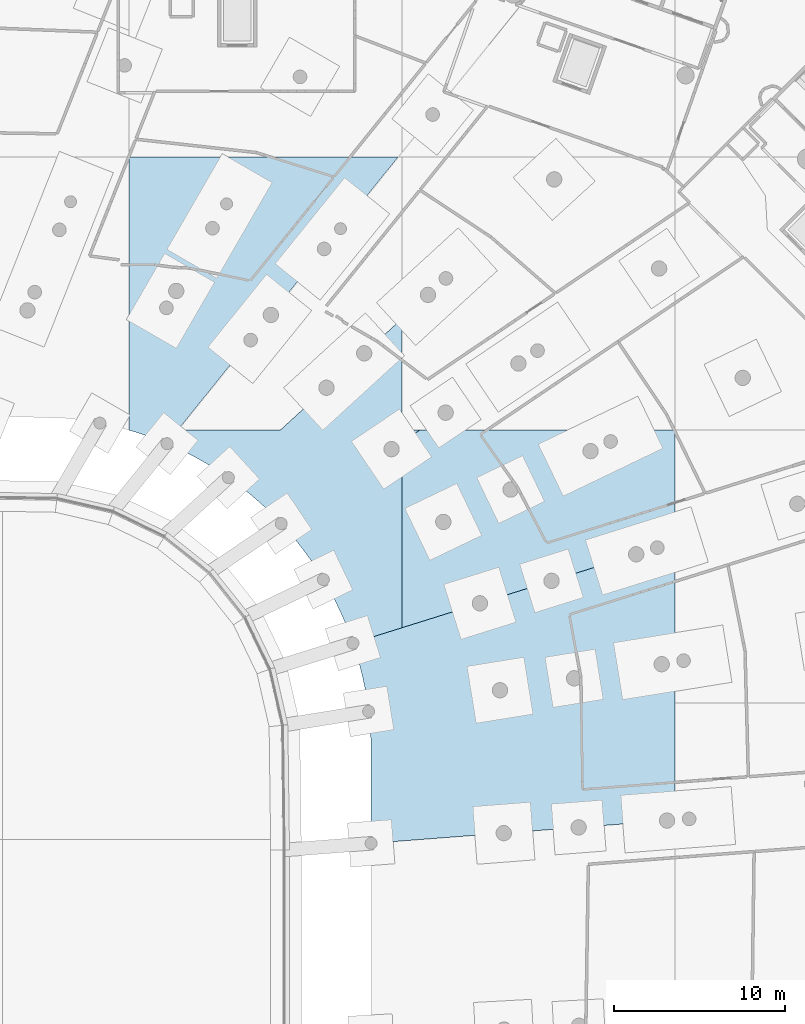
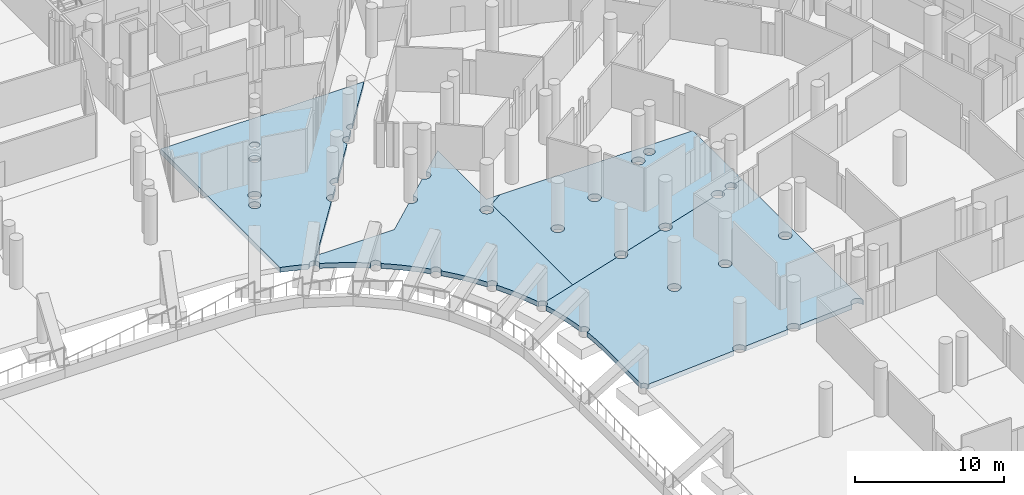
# One storey, part 31 of 142: 4 slabs.
"""IFC4 building model written with IfcOpenShell, lengths in metres."""

import ifcopenshell
import ifcopenshell.guid

model = None  # the IFC model being written
_history = None  # IfcOwnerHistory: only IFC2X3 demands one
_inside = {}  # id of a spatial element -> (the spatial element, [elements in it])
_under = {}  # id of a project, library or spatial element -> (it, [spatial elements below it])
_declared = {}  # id of a project -> (the project, [libraries it declares])
_typed = {}  # id of a type object -> (the type object, [elements of that type])
_made_of = {}  # id of a material, layer set ... -> (it, [elements and type objects made of it])


def new_model(schema):
    """Start an empty IFC model of exactly this schema.

    Asked for "IFC4X3", IfcOpenShell would pick the latest addendum, in which some entities
    have other attributes; the version numbers below select the first issue.
    IFC2X3 requires an IfcOwnerHistory on every rooted entity: one is made here for all.
    """
    global model, _history
    if schema == "IFC4X3":
        model = ifcopenshell.file(schema_version=(4, 3, 0, 0))
    else:
        model = ifcopenshell.file(schema=schema)
    _inside.clear()
    _under.clear()
    _declared.clear()
    _typed.clear()
    _made_of.clear()
    _history = None
    if model.schema == "IFC2X3":
        org = make("IfcOrganization", Name="unknown")
        user = make(
            "IfcPersonAndOrganization",
            ThePerson=make("IfcPerson", FamilyName="unknown"),
            TheOrganization=org,
        )
        app = make(
            "IfcApplication",
            ApplicationDeveloper=org,
            Version="unknown",
            ApplicationFullName="unknown",
            ApplicationIdentifier="unknown",
        )
        _history = make(
            "IfcOwnerHistory",
            OwningUser=user,
            OwningApplication=app,
            ChangeAction="ADDED",
            CreationDate=0,
        )
    return model


def make(cls, **values):
    """One entity of the class cls with the attributes given. An attribute that is None is left unset."""
    return model.create_entity(
        cls, **{name: value for name, value in values.items() if value is not None}
    )


def rooted(cls, **values):
    """An entity with a GlobalId (a new one), such as an element, a storey or a relation."""
    return make(cls, GlobalId=ifcopenshell.guid.new(), OwnerHistory=_history, **values)


def si_unit(unit_type, name, prefix=None):
    """IfcSIUnit, for example si_unit("LENGTHUNIT", "METRE", prefix="MILLI")."""
    return make("IfcSIUnit", UnitType=unit_type, Prefix=prefix, Name=name)


def assignment(units):
    """IfcUnitAssignment: the units of a project."""
    return None if units is None else make("IfcUnitAssignment", Units=units)


def point(xyz):
    """IfcCartesianPoint."""
    return None if xyz is None else make("IfcCartesianPoint", Coordinates=xyz)


def direction(xyz):
    """IfcDirection."""
    return None if xyz is None else make("IfcDirection", DirectionRatios=xyz)


def frame(location, z_axis=None, x_axis=None):
    """IfcAxis2Placement3D, a coordinate frame: its origin and axes. An axis left out is left unset."""
    return make(
        "IfcAxis2Placement3D",
        Location=point(location),
        Axis=direction(z_axis),
        RefDirection=direction(x_axis),
    )


def origin():
    """The frame at (0, 0, 0) with its axes left unset."""
    return frame((0.0, 0.0, 0.0))


def place(relative_to, where):
    """IfcLocalPlacement: puts the frame where relative to a parent placement (None: the world)."""
    return make(
        "IfcLocalPlacement", PlacementRelTo=relative_to, RelativePlacement=where
    )


def context(
    kind, dimensions, precision=None, world=None, true_north=None, identifier=None
):
    """IfcGeometricRepresentationContext, for example the 3D "Model" context."""
    return make(
        "IfcGeometricRepresentationContext",
        ContextIdentifier=identifier,
        ContextType=kind,
        CoordinateSpaceDimension=dimensions,
        Precision=precision,
        WorldCoordinateSystem=world,
        TrueNorth=true_north,
    )


def subcontext(parent, identifier, kind, view, scale=None):
    """IfcGeometricRepresentationSubContext, for example "Body" below "Model"."""
    return make(
        "IfcGeometricRepresentationSubContext",
        ContextIdentifier=identifier,
        ContextType=kind,
        ParentContext=parent,
        TargetScale=scale,
        TargetView=view,
    )


def project(units=None, contexts=None):
    """IfcProject with its units and contexts."""
    return rooted(
        "IfcProject",
        Name="project",
        RepresentationContexts=contexts,
        UnitsInContext=assignment(units),
    )


def spatial(cls, under=None, at=None, **own):
    """A site, building, storey or space (cls), placed at a placement, below another one or the project."""
    s = rooted(cls, ObjectPlacement=at, **own)
    if under is not None:
        _under.setdefault(under.id(), (under, []))[1].append(s)
    return s


def polyline(points):
    """IfcPolyline through the points."""
    return make("IfcPolyline", Points=[point(p) for p in points])


def outline(outer, holes=None, kind="AREA"):
    """IfcArbitraryClosedProfileDef: a profile drawn as a closed curve; with holes, ...WithVoids."""
    if holes is None:
        return make("IfcArbitraryClosedProfileDef", ProfileType=kind, OuterCurve=outer)
    return make(
        "IfcArbitraryProfileDefWithVoids",
        ProfileType=kind,
        OuterCurve=outer,
        InnerCurves=holes,
    )


def extrude(swept, where, along, depth):
    """IfcExtrudedAreaSolid: the profile swept, set in the frame where, extruded along a direction by depth."""
    return make(
        "IfcExtrudedAreaSolid",
        SweptArea=swept,
        Position=where,
        ExtrudedDirection=direction(along),
        Depth=depth,
    )


def shape(context_of_items, identifier, shape_type, items):
    """IfcShapeRepresentation: the items that make up one representation, for example the "Body"."""
    return make(
        "IfcShapeRepresentation",
        ContextOfItems=context_of_items,
        RepresentationIdentifier=identifier,
        RepresentationType=shape_type,
        Items=items,
    )


def material(Name=None, Category=None):
    """IfcMaterial."""
    return make("IfcMaterial", Name=Name, Category=Category)


def layer(
    of_material, thickness, ventilated=None, Name=None, Category=None, Priority=None
):
    """IfcMaterialLayer: one layer of a wall or slab, of a material (None: an air gap)."""
    return make(
        "IfcMaterialLayer",
        Material=of_material,
        LayerThickness=thickness,
        IsVentilated=ventilated,
        Name=Name,
        Category=Category,
        Priority=Priority,
    )


def layer_set(layers, Name=None):
    """IfcMaterialLayerSet."""
    return make("IfcMaterialLayerSet", MaterialLayers=layers, LayerSetName=Name)


def made_of(thing, what):
    """Note that an element or type object is made of a material, layer set ...; save() writes the relation."""
    if what is not None:
        _made_of.setdefault(what.id(), (what, []))[1].append(thing)
    return thing


def type_object(cls, material=None, **own):
    """A type object (cls), such as IfcWallType, which elements share."""
    return made_of(rooted(cls, **own), material)


def element(
    cls,
    number,
    at=None,
    inside=None,
    cuts=None,
    type_object=None,
    material=None,
    context=None,
    identifier="Body",
    shape_type=None,
    held_by="IfcProductDefinitionShape",
    body=None,
    shapes=None,
    **own,
):
    """One element of the class cls, such as IfcWall. Its Tag is "e" and its number.

    at: its placement. inside: the storey or other place that contains it. cuts: it is an
    opening in that element (IfcRelVoidsElement). A single representation is given by context,
    identifier, shape_type and body (its items); several are given by shapes. held_by: the class
    of the entity that holds the representations. save() writes the other relations.
    """
    e = rooted(cls, Tag="e%d" % number, ObjectPlacement=at, **own)
    if body is not None:
        shapes = [shape(context, identifier, shape_type, body)]
    if shapes is not None:
        e.Representation = make(held_by, Representations=shapes)
    if inside is not None:
        _inside.setdefault(inside.id(), (inside, []))[1].append(e)
    if cuts is not None:
        rooted(
            "IfcRelVoidsElement", RelatingBuildingElement=cuts, RelatedOpeningElement=e
        )
    if type_object is not None:
        _typed.setdefault(type_object.id(), (type_object, []))[1].append(e)
    return made_of(e, material)


def aggregate(whole, parts):
    """IfcRelAggregates: a whole, such as a stair, and the parts it consists of."""
    return rooted("IfcRelAggregates", RelatingObject=whole, RelatedObjects=parts)


def save(model, path):
    """Write the relations noted so far, then the file.

    IfcRelAggregates (storeys below a building ...), IfcRelContainedInSpatialStructure (elements
    in a storey), IfcRelDefinesByType, IfcRelAssociatesMaterial and IfcRelDeclares: one each for
    every whole, place, type object, material and project.
    """
    for whole, parts in _under.values():
        aggregate(whole, parts)
    for where, things in _inside.values():
        rooted(
            "IfcRelContainedInSpatialStructure",
            RelatedElements=things,
            RelatingStructure=where,
        )
    for kind, things in _typed.values():
        rooted("IfcRelDefinesByType", RelatedObjects=things, RelatingType=kind)
    for what, things in _made_of.values():
        rooted("IfcRelAssociatesMaterial", RelatedObjects=things, RelatingMaterial=what)
    for by, libraries in _declared.values():
        rooted("IfcRelDeclares", RelatingContext=by, RelatedDefinitions=libraries)
    model.write(path)


model = new_model("IFC4")

# Units and contexts
model_context = context("Model", 3, precision=1e-05, world=origin(), true_north=direction((0.0, 1.0)))
body_context = subcontext(model_context, "Body", "Model", "MODEL_VIEW")
ifc_project = project(units=[si_unit("LENGTHUNIT", "METRE"), si_unit("AREAUNIT", "SQUARE_METRE"), si_unit("VOLUMEUNIT", "CUBIC_METRE"), si_unit("PLANEANGLEUNIT", "RADIAN"), si_unit("MASSUNIT", "GRAM", prefix="KILO")], contexts=[model_context])

# Site, building, storey
site_placement = place(None, origin())
site = spatial("IfcSite", under=ifc_project, at=site_placement, CompositionType="ELEMENT")
building_placement = place(site_placement, origin())
building = spatial("IfcBuilding", under=site, at=building_placement, Name="Meseta Stadium", CompositionType="ELEMENT")
storey_placement = place(building_placement, frame((0.0, 0.0, -4.0)))
storey = spatial("IfcBuildingStorey", under=building, at=storey_placement, Name="B1", CompositionType="ELEMENT", Elevation=-4.0)

# Slabs
ifc_material = material(Name="Concrete C30/37", Category="concrete")
ifc_layer = layer(ifc_material, 0.39990234375)
ifc_layer_set = layer_set([ifc_layer], Name="Base slab 400")
slab_type = type_object("IfcSlabType", Name="Base slab 400", PredefinedType="BASESLAB", material=ifc_layer_set)
slab_1_placement = place(storey_placement, frame((0.0, 0.0, -0.39990234375)))
element("IfcSlab", 1, at=slab_1_placement, inside=storey, type_object=slab_type, Name="Base slab B1 sector 07 panel 02", PredefinedType="BASESLAB", context=body_context, shape_type="SweptSolid", body=[
    extrude(outline(polyline([(36.665283203125, 61.95947265625), (37.247314453125, 61.595703125), (37.524658203125, 61.40869140625), (37.5673828125, 61.460693359375), (37.62060546875, 61.50439453125), (37.681396484375, 61.537109375), (37.747314453125, 61.556884765625), (37.816162109375, 61.563720703125), (37.884765625, 61.556884765625), (37.95068359375, 61.537109375), (38.011474609375, 61.50439453125), (38.064697265625, 61.460693359375), (38.1083984375, 61.407470703125), (38.14111328125, 61.3466796875), (38.160888671875, 61.28076171875), (38.167724609375, 61.2119140625), (38.160888671875, 61.143310546875), (38.14111328125, 61.077392578125), (38.1083984375, 61.0166015625), (38.099609375, 61.005859375), (38.37109375, 60.80859375), (38.91162109375, 60.38623046875), (39.437255859375, 59.9453125), (39.94677734375, 59.486083984375), (40.440185546875, 59.009521484375), (40.672607421875, 58.768798828125), (40.72119140625, 58.80859375), (40.781982421875, 58.841064453125), (40.847900390625, 58.861083984375), (40.91650390625, 58.86767578125), (40.985107421875, 58.861083984375), (41.051025390625, 58.841064453125), (41.11181640625, 58.80859375), (41.165283203125, 58.7646484375), (41.207763671875, 58.712646484375), (41.241455078125, 58.650634765625), (41.261474609375, 58.584716796875), (41.268310546875, 58.51611328125), (41.261474609375, 58.447509765625), (41.241455078125, 58.381591796875), (41.208984375, 58.32080078125), (41.165283203125, 58.267333984375), (41.15087890625, 58.255615234375), (41.375244140625, 58.006103515625), (41.81591796875, 57.480712890625), (42.23779296875, 56.93994140625), (42.640869140625, 56.385009765625), (43.02392578125, 55.816162109375), (43.201416015625, 55.53173828125), (43.25244140625, 55.55908203125), (43.318603515625, 55.5791015625), (43.38720703125, 55.5859375), (43.455810546875, 55.5791015625), (43.521728515625, 55.55908203125), (43.58251953125, 55.526611328125), (43.6357421875, 55.48291015625), (43.679443359375, 55.4296875), (43.7119140625, 55.368896484375), (43.73193359375, 55.302734375), (43.73876953125, 55.234130859375), (43.73193359375, 55.16552734375), (43.7119140625, 55.099609375), (43.679443359375, 55.038818359375), (43.6357421875, 54.985595703125), (43.58251953125, 54.94189453125), (43.56201171875, 54.930908203125), (43.7294921875, 54.639892578125), (44.05126953125, 54.0341796875), (44.351318359375, 53.41748046875), (44.6298828125, 52.790771484375), (44.885986328125, 52.154541015625), (45.00048828125, 51.83935546875), (45.051513671875, 51.854736328125), (45.1201171875, 51.861572265625), (45.188720703125, 51.854736328125), (45.254638671875, 51.834716796875), (45.3154296875, 51.80224609375), (45.368896484375, 51.758544921875), (45.41259765625, 51.705322265625), (45.445068359375, 51.64453125), (45.4541015625, 51.614501953125), (48.0, 52.412841796875), (48.0, 63.2978515625), (49.0400390625, 64.0), (48.0, 64.0), (48.0, 70.53466796875), (46.109619140625, 68.80419921875), (46.153076171875, 68.7509765625), (46.19482421875, 68.6728515625), (46.220703125, 68.587890625), (46.229248046875, 68.499755859375), (46.220703125, 68.41162109375), (46.19482421875, 68.326904296875), (46.153076171875, 68.24853515625), (46.096923828125, 68.18017578125), (46.0283203125, 68.123779296875), (45.9501953125, 68.08203125), (45.865234375, 68.056396484375), (45.777099609375, 68.047607421875), (45.68896484375, 68.056396484375), (45.60400390625, 68.08203125), (45.52587890625, 68.123779296875), (45.45751953125, 68.18017578125), (45.444580078125, 68.195556640625), (43.90185546875, 66.783203125), (43.9453125, 66.72998046875), (43.9873046875, 66.65185546875), (44.012939453125, 66.56689453125), (44.021484375, 66.478759765625), (44.012939453125, 66.390625), (43.9873046875, 66.305908203125), (43.9453125, 66.2275390625), (43.88916015625, 66.1591796875), (43.820556640625, 66.102783203125), (43.742431640625, 66.06103515625), (43.65771484375, 66.035400390625), (43.5693359375, 66.026611328125), (43.481201171875, 66.035400390625), (43.396484375, 66.06103515625), (43.318115234375, 66.102783203125), (43.249755859375, 66.1591796875), (43.237060546875, 66.174560546875), (40.861572265625, 64.0), (34.87451171875, 64.0), (34.447509765625, 63.470703125), (34.468505859375, 63.45361328125), (34.512451171875, 63.400146484375), (34.544921875, 63.33935546875), (34.56494140625, 63.2734375), (34.57177734375, 63.204833984375), (34.56494140625, 63.13623046875), (34.544921875, 63.0703125), (34.54052734375, 63.06201171875), (34.847412109375, 62.925537109375), (35.464599609375, 62.624755859375), (36.07080078125, 62.302490234375), (36.665283203125, 61.95947265625)]), holes=[polyline([(47.469482421875, 63.32373046875), (47.554443359375, 63.298095703125), (47.632568359375, 63.256103515625), (47.701171875, 63.199951171875), (47.755859375, 63.133056640625), (47.799072265625, 63.05322265625), (47.82470703125, 62.968505859375), (47.83349609375, 62.880126953125), (47.82470703125, 62.7919921875), (47.799072265625, 62.707275390625), (47.75732421875, 62.62890625), (47.701171875, 62.560546875), (47.632568359375, 62.50439453125), (47.554443359375, 62.46240234375), (47.469482421875, 62.436767578125), (47.38134765625, 62.427978515625), (47.293212890625, 62.436767578125), (47.208251953125, 62.46240234375), (47.130126953125, 62.50439453125), (47.0615234375, 62.560546875), (47.006591796875, 62.627197265625), (46.963623046875, 62.707275390625), (46.937744140625, 62.7919921875), (46.92919921875, 62.880126953125), (46.937744140625, 62.968505859375), (46.963623046875, 63.05322265625), (47.00537109375, 63.13134765625), (47.0615234375, 63.199951171875), (47.130126953125, 63.256103515625), (47.208251953125, 63.298095703125), (47.293212890625, 63.32373046875), (47.38134765625, 63.33251953125), (47.469482421875, 63.32373046875)])]), origin(), (0.0, 0.0, 1.0), 0.39990234375),
])
slab_2_placement = place(storey_placement, frame((0.0, 0.0, -0.39990234375)))
element("IfcSlab", 2, at=slab_2_placement, inside=storey, type_object=slab_type, Name="Base slab B1 sector 07 panel 04", PredefinedType="BASESLAB", context=body_context, shape_type="SweptSolid", body=[
    extrude(outline(polyline([(49.0400390625, 64.0), (48.0, 63.2978515625), (48.0, 52.412841796875), (52.133544921875, 53.708740234375), (52.119384765625, 53.755126953125), (52.110595703125, 53.843505859375), (52.119384765625, 53.931640625), (52.14501953125, 54.0166015625), (52.18701171875, 54.094482421875), (52.2431640625, 54.1630859375), (52.3115234375, 54.219482421875), (52.389892578125, 54.26123046875), (52.474609375, 54.286865234375), (52.562744140625, 54.295654296875), (52.651123046875, 54.286865234375), (52.73583984375, 54.26123046875), (52.814208984375, 54.219482421875), (52.882568359375, 54.1630859375), (52.938720703125, 54.094482421875), (52.980712890625, 54.0166015625), (52.9921875, 53.97802734375), (56.331787109375, 55.025146484375), (56.31787109375, 55.071533203125), (56.30908203125, 55.159912109375), (56.31787109375, 55.248046875), (56.343505859375, 55.332763671875), (56.38525390625, 55.410888671875), (56.441650390625, 55.4794921875), (56.510009765625, 55.53564453125), (56.58837890625, 55.577392578125), (56.673095703125, 55.603271484375), (56.76123046875, 55.612060546875), (56.849609375, 55.603271484375), (56.934326171875, 55.577392578125), (57.012451171875, 55.53564453125), (57.0810546875, 55.4794921875), (57.13720703125, 55.410888671875), (57.17919921875, 55.332763671875), (57.190673828125, 55.29443359375), (61.293701171875, 56.580810546875), (61.27978515625, 56.627197265625), (61.27099609375, 56.715576171875), (61.27978515625, 56.8037109375), (61.305419921875, 56.888427734375), (61.34716796875, 56.966796875), (61.4033203125, 57.03515625), (61.471923828125, 57.09130859375), (61.550048828125, 57.13330078125), (61.635009765625, 57.158935546875), (61.72314453125, 57.16748046875), (61.811279296875, 57.158935546875), (61.896240234375, 57.13330078125), (61.974365234375, 57.09130859375), (62.04296875, 57.03515625), (62.09912109375, 56.966796875), (62.140869140625, 56.888427734375), (62.152587890625, 56.85009765625), (62.581787109375, 56.984619140625), (62.5693359375, 57.02587890625), (62.561767578125, 57.1044921875), (62.5693359375, 57.182861328125), (62.59228515625, 57.25830078125), (62.62939453125, 57.32763671875), (62.679443359375, 57.388671875), (62.740234375, 57.438720703125), (62.809814453125, 57.4755859375), (62.88525390625, 57.49853515625), (62.963623046875, 57.50634765625), (63.0419921875, 57.49853515625), (63.117431640625, 57.4755859375), (63.18701171875, 57.438720703125), (63.247802734375, 57.388671875), (63.2978515625, 57.32763671875), (63.3349609375, 57.25830078125), (63.34521484375, 57.22412109375), (64.0, 57.42919921875), (64.0, 64.0), (49.0400390625, 64.0)]), holes=[polyline([(50.589599609375, 59.032470703125), (50.667724609375, 58.99072265625), (50.736083984375, 58.9345703125), (50.79248046875, 58.865966796875), (50.834228515625, 58.787841796875), (50.85986328125, 58.702880859375), (50.86865234375, 58.61474609375), (50.85986328125, 58.526611328125), (50.834228515625, 58.441650390625), (50.79248046875, 58.363525390625), (50.736083984375, 58.294921875), (50.667724609375, 58.23876953125), (50.589599609375, 58.197021484375), (50.504638671875, 58.17138671875), (50.41650390625, 58.16259765625), (50.328125, 58.17138671875), (50.243408203125, 58.197021484375), (50.165283203125, 58.23876953125), (50.0966796875, 58.294921875), (50.04052734375, 58.363525390625), (49.998779296875, 58.441650390625), (49.972900390625, 58.526611328125), (49.96435546875, 58.61474609375), (49.972900390625, 58.702880859375), (49.998779296875, 58.787841796875), (50.04052734375, 58.865966796875), (50.0966796875, 58.9345703125), (50.165283203125, 58.99072265625), (50.243408203125, 59.032470703125), (50.328125, 59.058349609375), (50.41650390625, 59.06689453125), (50.504638671875, 59.058349609375), (50.589599609375, 59.032470703125)]), polyline([(60.50634765625, 63.61474609375), (60.556396484375, 63.5537109375), (60.593505859375, 63.484375), (60.6162109375, 63.408935546875), (60.6240234375, 63.33056640625), (60.6162109375, 63.252197265625), (60.593505859375, 63.1767578125), (60.556396484375, 63.107177734375), (60.50634765625, 63.04638671875), (60.4453125, 62.996337890625), (60.3759765625, 62.959228515625), (60.300537109375, 62.936279296875), (60.22216796875, 62.9287109375), (60.143798828125, 62.936279296875), (60.068359375, 62.959228515625), (59.998779296875, 62.996337890625), (59.93798828125, 63.04638671875), (59.887939453125, 63.107177734375), (59.850830078125, 63.1767578125), (59.827880859375, 63.252197265625), (59.8203125, 63.33056640625), (59.827880859375, 63.408935546875), (59.850830078125, 63.484375), (59.887939453125, 63.5537109375), (59.93798828125, 63.61474609375), (59.998779296875, 63.664794921875), (60.068359375, 63.701904296875), (60.143798828125, 63.724853515625), (60.22216796875, 63.732421875), (60.300537109375, 63.724853515625), (60.3759765625, 63.701904296875), (60.4453125, 63.664794921875), (60.50634765625, 63.61474609375)]), polyline([(59.36865234375, 63.086181640625), (59.425048828125, 63.017578125), (59.466796875, 62.939453125), (59.492431640625, 62.8544921875), (59.501220703125, 62.766357421875), (59.492431640625, 62.677978515625), (59.466796875, 62.59326171875), (59.425048828125, 62.51513671875), (59.36865234375, 62.446533203125), (59.30029296875, 62.390380859375), (59.221923828125, 62.3486328125), (59.13720703125, 62.322998046875), (59.049072265625, 62.314208984375), (58.960693359375, 62.322998046875), (58.8759765625, 62.3486328125), (58.7978515625, 62.390380859375), (58.729248046875, 62.446533203125), (58.673095703125, 62.51513671875), (58.631103515625, 62.59326171875), (58.60546875, 62.677978515625), (58.5966796875, 62.766357421875), (58.60546875, 62.8544921875), (58.631103515625, 62.939453125), (58.673095703125, 63.017578125), (58.729248046875, 63.086181640625), (58.7978515625, 63.142333984375), (58.8759765625, 63.18408203125), (58.960693359375, 63.209716796875), (59.049072265625, 63.218505859375), (59.13720703125, 63.209716796875), (59.221923828125, 63.18408203125), (59.30029296875, 63.142333984375), (59.36865234375, 63.086181640625)]), polyline([(54.68408203125, 60.8330078125), (54.740234375, 60.7646484375), (54.781982421875, 60.686279296875), (54.807861328125, 60.6015625), (54.81640625, 60.513427734375), (54.807861328125, 60.42529296875), (54.781982421875, 60.34033203125), (54.740234375, 60.26220703125), (54.68408203125, 60.193603515625), (54.615478515625, 60.137451171875), (54.537353515625, 60.095703125), (54.452392578125, 60.06982421875), (54.3642578125, 60.061279296875), (54.276123046875, 60.06982421875), (54.19140625, 60.095703125), (54.113037109375, 60.137451171875), (54.044677734375, 60.193603515625), (53.98828125, 60.26220703125), (53.946533203125, 60.34033203125), (53.9208984375, 60.42529296875), (53.912109375, 60.513427734375), (53.9208984375, 60.6015625), (53.946533203125, 60.686279296875), (53.98828125, 60.7646484375), (54.044677734375, 60.8330078125), (54.113037109375, 60.889404296875), (54.19140625, 60.93115234375), (54.276123046875, 60.956787109375), (54.3642578125, 60.965576171875), (54.452392578125, 60.956787109375), (54.537353515625, 60.93115234375), (54.615478515625, 60.889404296875), (54.68408203125, 60.8330078125)])]), origin(), (0.0, 0.0, 1.0), 0.39990234375),
])
slab_3_placement = place(storey_placement, frame((0.0, 0.0, -0.39990234375)))
element("IfcSlab", 3, at=slab_3_placement, inside=storey, type_object=slab_type, Name="Base slab B1 sector 07 panel 05", PredefinedType="BASESLAB", context=body_context, shape_type="SweptSolid", body=[
    extrude(outline(polyline([(45.465087890625, 51.57861328125), (45.4716796875, 51.510009765625), (45.465087890625, 51.44140625), (45.445068359375, 51.375244140625), (45.41259765625, 51.314453125), (45.368896484375, 51.26123046875), (45.3154296875, 51.217529296875), (45.254638671875, 51.18505859375), (45.227783203125, 51.1767578125), (45.331298828125, 50.857421875), (45.519775390625, 50.197998046875), (45.684814453125, 49.5322265625), (45.82666015625, 48.861083984375), (45.945068359375, 48.185546875), (45.9912109375, 47.853271484375), (46.03955078125, 47.85791015625), (46.108154296875, 47.851318359375), (46.174072265625, 47.831298828125), (46.23486328125, 47.798583984375), (46.2880859375, 47.7548828125), (46.331787109375, 47.70166015625), (46.364501953125, 47.640869140625), (46.384521484375, 47.574951171875), (46.39111328125, 47.50634765625), (46.384521484375, 47.437744140625), (46.364501953125, 47.37158203125), (46.331787109375, 47.310791015625), (46.2880859375, 47.257568359375), (46.23486328125, 47.2138671875), (46.174072265625, 47.181396484375), (46.108154296875, 47.161376953125), (46.07568359375, 47.158203125), (46.1103515625, 46.82421875), (46.1572265625, 46.139892578125), (46.18017578125, 45.454345703125), (46.1845703125, 40.12451171875), (46.25341796875, 40.117919921875), (46.3193359375, 40.097900390625), (46.380126953125, 40.0654296875), (46.433349609375, 40.021484375), (46.477294921875, 39.96826171875), (46.509765625, 39.907470703125), (46.52978515625, 39.841552734375), (46.53369140625, 39.7998046875), (53.51318359375, 40.33544921875), (53.509765625, 40.369873046875), (53.518310546875, 40.4580078125), (53.544189453125, 40.54296875), (53.5859375, 40.62109375), (53.64208984375, 40.689697265625), (53.710693359375, 40.745849609375), (53.788818359375, 40.78759765625), (53.873779296875, 40.8134765625), (53.9619140625, 40.822021484375), (54.050048828125, 40.8134765625), (54.135009765625, 40.78759765625), (54.213134765625, 40.745849609375), (54.281494140625, 40.689697265625), (54.337890625, 40.62109375), (54.379638671875, 40.54296875), (54.405517578125, 40.4580078125), (54.41064453125, 40.404296875), (57.900146484375, 40.672119140625), (57.896728515625, 40.70654296875), (57.905517578125, 40.794921875), (57.93115234375, 40.879638671875), (57.972900390625, 40.957763671875), (58.029296875, 41.0263671875), (58.097900390625, 41.08251953125), (58.17578125, 41.12451171875), (58.2607421875, 41.150146484375), (58.34912109375, 41.15869140625), (58.437255859375, 41.150146484375), (58.52197265625, 41.12451171875), (58.60009765625, 41.08251953125), (58.668701171875, 41.0263671875), (58.724853515625, 40.957763671875), (58.7666015625, 40.879638671875), (58.79248046875, 40.794921875), (58.797607421875, 40.7412109375), (63.0849609375, 41.070068359375), (63.08154296875, 41.1044921875), (63.090087890625, 41.19287109375), (63.115966796875, 41.277587890625), (63.15771484375, 41.355712890625), (63.214111328125, 41.42431640625), (63.282470703125, 41.48046875), (63.360595703125, 41.522216796875), (63.445556640625, 41.548095703125), (63.53369140625, 41.556640625), (63.621826171875, 41.548095703125), (63.706787109375, 41.522216796875), (63.784912109375, 41.48046875), (63.853515625, 41.42431640625), (63.90966796875, 41.355712890625), (63.951416015625, 41.277587890625), (63.977294921875, 41.19287109375), (63.982421875, 41.138916015625), (64.0, 41.140380859375), (64.0, 57.42919921875), (63.34521484375, 57.22412109375), (63.35791015625, 57.182861328125), (63.365478515625, 57.1044921875), (63.35791015625, 57.02587890625), (63.3349609375, 56.95068359375), (63.2978515625, 56.881103515625), (63.247802734375, 56.8203125), (63.18701171875, 56.770263671875), (63.117431640625, 56.733154296875), (63.0419921875, 56.710205078125), (62.963623046875, 56.702392578125), (62.88525390625, 56.710205078125), (62.809814453125, 56.733154296875), (62.740234375, 56.770263671875), (62.679443359375, 56.8203125), (62.62939453125, 56.881103515625), (62.59228515625, 56.95068359375), (62.581787109375, 56.984619140625), (62.152587890625, 56.85009765625), (62.16650390625, 56.8037109375), (62.17529296875, 56.715576171875), (62.16650390625, 56.627197265625), (62.140869140625, 56.54248046875), (62.09912109375, 56.46435546875), (62.04296875, 56.395751953125), (61.974365234375, 56.339599609375), (61.896240234375, 56.297607421875), (61.811279296875, 56.27197265625), (61.72314453125, 56.26318359375), (61.635009765625, 56.27197265625), (61.550048828125, 56.297607421875), (61.471923828125, 56.339599609375), (61.4033203125, 56.395751953125), (61.34716796875, 56.46435546875), (61.305419921875, 56.54248046875), (61.293701171875, 56.580810546875), (57.190673828125, 55.29443359375), (57.204833984375, 55.248046875), (57.21337890625, 55.159912109375), (57.204833984375, 55.071533203125), (57.17919921875, 54.98681640625), (57.13720703125, 54.90869140625), (57.0810546875, 54.840087890625), (57.012451171875, 54.78369140625), (56.934326171875, 54.741943359375), (56.849609375, 54.71630859375), (56.76123046875, 54.70751953125), (56.673095703125, 54.71630859375), (56.58837890625, 54.741943359375), (56.510009765625, 54.78369140625), (56.441650390625, 54.840087890625), (56.38525390625, 54.90869140625), (56.343505859375, 54.98681640625), (56.331787109375, 55.025146484375), (52.9921875, 53.97802734375), (53.00634765625, 53.931640625), (53.014892578125, 53.843505859375), (53.00634765625, 53.755126953125), (52.980712890625, 53.67041015625), (52.938720703125, 53.59228515625), (52.882568359375, 53.523681640625), (52.814208984375, 53.46728515625), (52.73583984375, 53.42578125), (52.651123046875, 53.39990234375), (52.562744140625, 53.39111328125), (52.474609375, 53.39990234375), (52.389892578125, 53.42578125), (52.3115234375, 53.46728515625), (52.2431640625, 53.523681640625), (52.18701171875, 53.59228515625), (52.14501953125, 53.67041015625), (52.133544921875, 53.708740234375), (45.4541015625, 51.614501953125), (45.465087890625, 51.57861328125)]), holes=[polyline([(63.635986328125, 50.446044921875), (63.66162109375, 50.361083984375), (63.67041015625, 50.27294921875), (63.66162109375, 50.184814453125), (63.635986328125, 50.10009765625), (63.593994140625, 50.021728515625), (63.537841796875, 49.953369140625), (63.469482421875, 49.89697265625), (63.39111328125, 49.855224609375), (63.306396484375, 49.82958984375), (63.21826171875, 49.82080078125), (63.1298828125, 49.82958984375), (63.045166015625, 49.855224609375), (62.966796875, 49.89697265625), (62.8984375, 49.953369140625), (62.84228515625, 50.021728515625), (62.80029296875, 50.10009765625), (62.774658203125, 50.184814453125), (62.76611328125, 50.27294921875), (62.774658203125, 50.361083984375), (62.80029296875, 50.446044921875), (62.84228515625, 50.524169921875), (62.8984375, 50.5927734375), (62.966796875, 50.64892578125), (63.045166015625, 50.69091796875), (63.1298828125, 50.716552734375), (63.21826171875, 50.72509765625), (63.306396484375, 50.716552734375), (63.39111328125, 50.69091796875), (63.469482421875, 50.64892578125), (63.537841796875, 50.5927734375), (63.593994140625, 50.524169921875), (63.635986328125, 50.446044921875)]), polyline([(58.502197265625, 49.619140625), (58.52783203125, 49.534423828125), (58.53662109375, 49.4462890625), (58.52783203125, 49.35791015625), (58.502197265625, 49.273193359375), (58.460205078125, 49.195068359375), (58.404052734375, 49.12646484375), (58.33544921875, 49.0703125), (58.25732421875, 49.0283203125), (58.172607421875, 49.002685546875), (58.084228515625, 48.993896484375), (57.99609375, 49.002685546875), (57.911376953125, 49.0283203125), (57.8330078125, 49.0703125), (57.7646484375, 49.12646484375), (57.708251953125, 49.195068359375), (57.66650390625, 49.273193359375), (57.640869140625, 49.35791015625), (57.632080078125, 49.4462890625), (57.640869140625, 49.534423828125), (57.66650390625, 49.619140625), (57.708251953125, 49.697509765625), (57.7646484375, 49.765869140625), (57.8330078125, 49.822021484375), (57.911376953125, 49.864013671875), (57.99609375, 49.8896484375), (58.084228515625, 49.8984375), (58.172607421875, 49.8896484375), (58.25732421875, 49.864013671875), (58.33544921875, 49.822021484375), (58.404052734375, 49.765869140625), (58.460205078125, 49.697509765625), (58.502197265625, 49.619140625)]), polyline([(54.157958984375, 48.919677734375), (54.183837890625, 48.834716796875), (54.1923828125, 48.74658203125), (54.183837890625, 48.658203125), (54.157958984375, 48.573486328125), (54.1162109375, 48.495361328125), (54.06005859375, 48.4267578125), (53.991455078125, 48.37060546875), (53.913330078125, 48.328857421875), (53.82861328125, 48.302978515625), (53.740234375, 48.29443359375), (53.652099609375, 48.302978515625), (53.5673828125, 48.328857421875), (53.489013671875, 48.37060546875), (53.420654296875, 48.4267578125), (53.3642578125, 48.495361328125), (53.322509765625, 48.573486328125), (53.296875, 48.658203125), (53.2880859375, 48.74658203125), (53.296875, 48.834716796875), (53.322509765625, 48.919677734375), (53.3642578125, 48.997802734375), (53.420654296875, 49.06640625), (53.489013671875, 49.12255859375), (53.5673828125, 49.164306640625), (53.652099609375, 49.18994140625), (53.740234375, 49.19873046875), (53.82861328125, 49.18994140625), (53.913330078125, 49.164306640625), (53.991455078125, 49.12255859375), (54.06005859375, 49.06640625), (54.1162109375, 48.997802734375), (54.157958984375, 48.919677734375)])]), origin(), (0.0, 0.0, 1.0), 0.39990234375),
])
slab_4_placement = place(storey_placement, frame((0.0, 0.0, -0.39990234375)))
element("IfcSlab", 4, at=slab_4_placement, inside=storey, type_object=slab_type, Name="Base slab B1 sector 14 panel 14", PredefinedType="BASESLAB", context=body_context, shape_type="SweptSolid", body=[
    extrude(outline(polyline([(34.1513671875, 63.5498046875), (34.219970703125, 63.556396484375), (34.28857421875, 63.5498046875), (34.3544921875, 63.52978515625), (34.415283203125, 63.497314453125), (34.431884765625, 63.4833984375), (38.859619140625, 68.9697265625), (38.83447265625, 68.990478515625), (38.784423828125, 69.051513671875), (38.747314453125, 69.120849609375), (38.724365234375, 69.1962890625), (38.716796875, 69.274658203125), (38.724365234375, 69.35302734375), (38.747314453125, 69.428466796875), (38.784423828125, 69.498046875), (38.83447265625, 69.558837890625), (38.895263671875, 69.60888671875), (38.96484375, 69.64599609375), (39.040283203125, 69.6689453125), (39.11865234375, 69.676513671875), (39.197021484375, 69.6689453125), (39.2724609375, 69.64599609375), (39.341796875, 69.60888671875), (39.362060546875, 69.59228515625), (40.017578125, 70.404296875), (39.988037109375, 70.428466796875), (39.931884765625, 70.4970703125), (39.89013671875, 70.5751953125), (39.8642578125, 70.659912109375), (39.855712890625, 70.748291015625), (39.8642578125, 70.83642578125), (39.89013671875, 70.921142578125), (39.931884765625, 70.99951171875), (39.988037109375, 71.06787109375), (40.056640625, 71.124267578125), (40.134765625, 71.166015625), (40.219482421875, 71.191650390625), (40.307861328125, 71.200439453125), (40.39599609375, 71.191650390625), (40.48095703125, 71.166015625), (40.55908203125, 71.124267578125), (40.582763671875, 71.104736328125), (43.17138671875, 74.3125), (43.146240234375, 74.333251953125), (43.09619140625, 74.39404296875), (43.05908203125, 74.463623046875), (43.036376953125, 74.5390625), (43.028564453125, 74.617431640625), (43.036376953125, 74.69580078125), (43.05908203125, 74.771240234375), (43.09619140625, 74.8408203125), (43.146240234375, 74.901611328125), (43.207275390625, 74.95166015625), (43.276611328125, 74.98876953125), (43.35205078125, 75.01171875), (43.430419921875, 75.019287109375), (43.5087890625, 75.01171875), (43.584228515625, 74.98876953125), (43.65380859375, 74.95166015625), (43.674072265625, 74.93505859375), (44.16259765625, 75.540283203125), (44.141357421875, 75.5576171875), (44.09765625, 75.611083984375), (44.065185546875, 75.671875), (44.045166015625, 75.73779296875), (44.038330078125, 75.806396484375), (44.045166015625, 75.875), (44.065185546875, 75.94091796875), (44.09765625, 76.001708984375), (44.141357421875, 76.05517578125), (44.194580078125, 76.098876953125), (44.255615234375, 76.13134765625), (44.3212890625, 76.1513671875), (44.389892578125, 76.158203125), (44.458740234375, 76.1513671875), (44.524658203125, 76.13134765625), (44.58544921875, 76.098876953125), (44.60205078125, 76.085205078125), (47.76171875, 80.0), (32.0, 80.0), (32.0, 63.990234375), (32.283447265625, 63.9091796875), (32.937255859375, 63.697021484375), (33.5830078125, 63.4619140625), (33.89404296875, 63.33642578125), (33.927490234375, 63.400146484375), (33.97119140625, 63.45361328125), (34.024658203125, 63.497314453125), (34.08544921875, 63.52978515625), (34.1513671875, 63.5498046875)]), holes=[polyline([(34.106689453125, 70.7666015625), (34.031494140625, 70.789306640625), (33.9619140625, 70.826416015625), (33.90087890625, 70.87646484375), (33.85107421875, 70.9375), (33.813720703125, 71.0068359375), (33.791015625, 71.082275390625), (33.783203125, 71.16064453125), (33.791015625, 71.239013671875), (33.813720703125, 71.314453125), (33.85107421875, 71.384033203125), (33.90087890625, 71.44482421875), (33.9619140625, 71.494873046875), (34.031494140625, 71.531982421875), (34.106689453125, 71.554931640625), (34.185302734375, 71.5625), (34.263671875, 71.554931640625), (34.339111328125, 71.531982421875), (34.408447265625, 71.494873046875), (34.469482421875, 71.44482421875), (34.519287109375, 71.384033203125), (34.556396484375, 71.314453125), (34.579345703125, 71.239013671875), (34.587158203125, 71.16064453125), (34.579345703125, 71.082275390625), (34.556396484375, 71.0068359375), (34.519287109375, 70.9375), (34.469482421875, 70.87646484375), (34.408447265625, 70.826416015625), (34.339111328125, 70.789306640625), (34.263671875, 70.7666015625), (34.185302734375, 70.7587890625), (34.106689453125, 70.7666015625)]), polyline([(34.672607421875, 71.712890625), (34.587646484375, 71.738525390625), (34.509521484375, 71.780517578125), (34.44091796875, 71.836669921875), (34.384765625, 71.905029296875), (34.343017578125, 71.9833984375), (34.317138671875, 72.068115234375), (34.30859375, 72.15625), (34.317138671875, 72.24462890625), (34.343017578125, 72.329345703125), (34.384765625, 72.40771484375), (34.44091796875, 72.47607421875), (34.509521484375, 72.5322265625), (34.587646484375, 72.57421875), (34.672607421875, 72.599853515625), (34.7607421875, 72.6083984375), (34.848876953125, 72.599853515625), (34.93359375, 72.57421875), (35.011962890625, 72.5322265625), (35.080322265625, 72.47607421875), (35.13671875, 72.40771484375), (35.178466796875, 72.329345703125), (35.2041015625, 72.24462890625), (35.212890625, 72.15625), (35.2041015625, 72.068115234375), (35.178466796875, 71.9833984375), (35.13671875, 71.905029296875), (35.080322265625, 71.836669921875), (35.011962890625, 71.780517578125), (34.93359375, 71.738525390625), (34.848876953125, 71.712890625), (34.7607421875, 71.7041015625), (34.672607421875, 71.712890625)]), polyline([(36.807373046875, 75.438720703125), (36.73193359375, 75.461669921875), (36.66259765625, 75.498779296875), (36.601806640625, 75.548583984375), (36.5517578125, 75.609619140625), (36.514404296875, 75.67919921875), (36.49169921875, 75.75439453125), (36.48388671875, 75.8330078125), (36.49169921875, 75.911376953125), (36.514404296875, 75.98681640625), (36.5517578125, 76.05615234375), (36.601806640625, 76.1171875), (36.66259765625, 76.1669921875), (36.73193359375, 76.204345703125), (36.807373046875, 76.227294921875), (36.885986328125, 76.23486328125), (36.96435546875, 76.227294921875), (37.039794921875, 76.204345703125), (37.109130859375, 76.1669921875), (37.170166015625, 76.1171875), (37.22021484375, 76.05615234375), (37.257080078125, 75.98681640625), (37.280029296875, 75.911376953125), (37.287841796875, 75.8330078125), (37.280029296875, 75.75439453125), (37.257080078125, 75.67919921875), (37.22021484375, 75.609619140625), (37.170166015625, 75.548583984375), (37.109130859375, 75.498779296875), (37.039794921875, 75.461669921875), (36.96435546875, 75.438720703125), (36.885986328125, 75.430908203125), (36.807373046875, 75.438720703125)]), polyline([(37.64306640625, 76.916748046875), (37.5771484375, 76.936767578125), (37.516357421875, 76.96923828125), (37.462890625, 77.012939453125), (37.419189453125, 77.06640625), (37.38671875, 77.127197265625), (37.36669921875, 77.193115234375), (37.360107421875, 77.26171875), (37.36669921875, 77.330322265625), (37.38671875, 77.396240234375), (37.419189453125, 77.45703125), (37.462890625, 77.510498046875), (37.516357421875, 77.55419921875), (37.5771484375, 77.586669921875), (37.64306640625, 77.606689453125), (37.711669921875, 77.61328125), (37.7802734375, 77.606689453125), (37.84619140625, 77.586669921875), (37.906982421875, 77.55419921875), (37.96044921875, 77.510498046875), (38.004150390625, 77.45703125), (38.03662109375, 77.396240234375), (38.056640625, 77.330322265625), (38.0634765625, 77.26171875), (38.056640625, 77.193115234375), (38.03662109375, 77.127197265625), (38.004150390625, 77.06640625), (37.96044921875, 77.012939453125), (37.906982421875, 76.96923828125), (37.84619140625, 76.936767578125), (37.7802734375, 76.916748046875), (37.711669921875, 76.909912109375), (37.64306640625, 76.916748046875)])]), origin(), (0.0, 0.0, 1.0), 0.39990234375),
])

save(model, "model.ifc")
